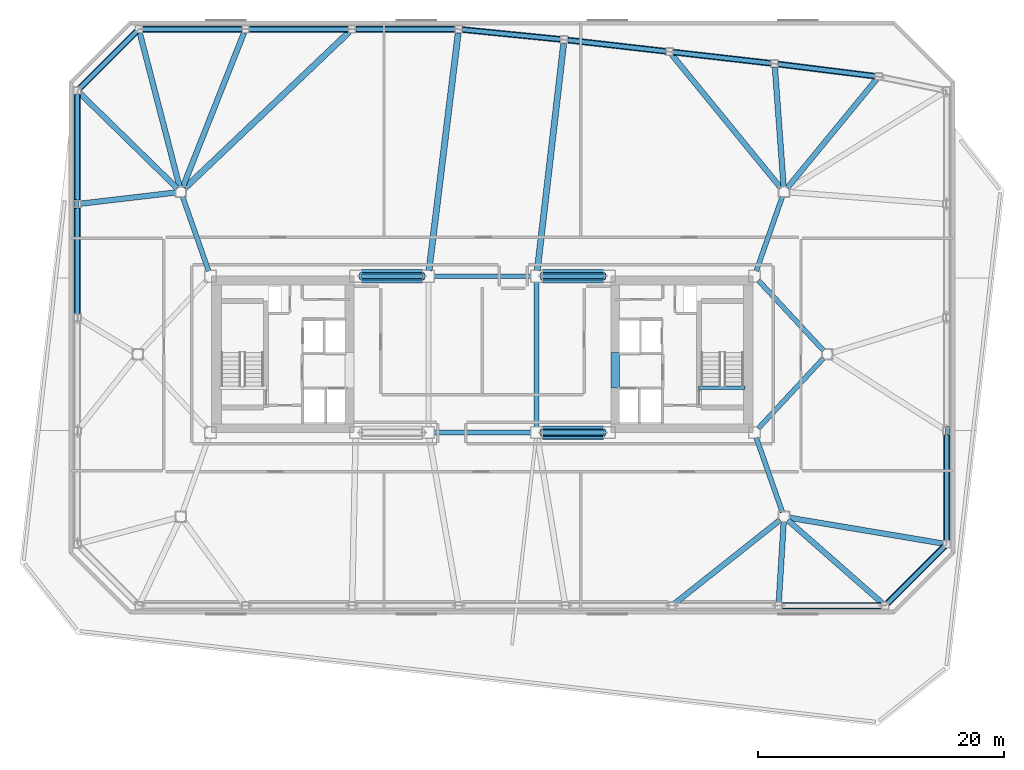
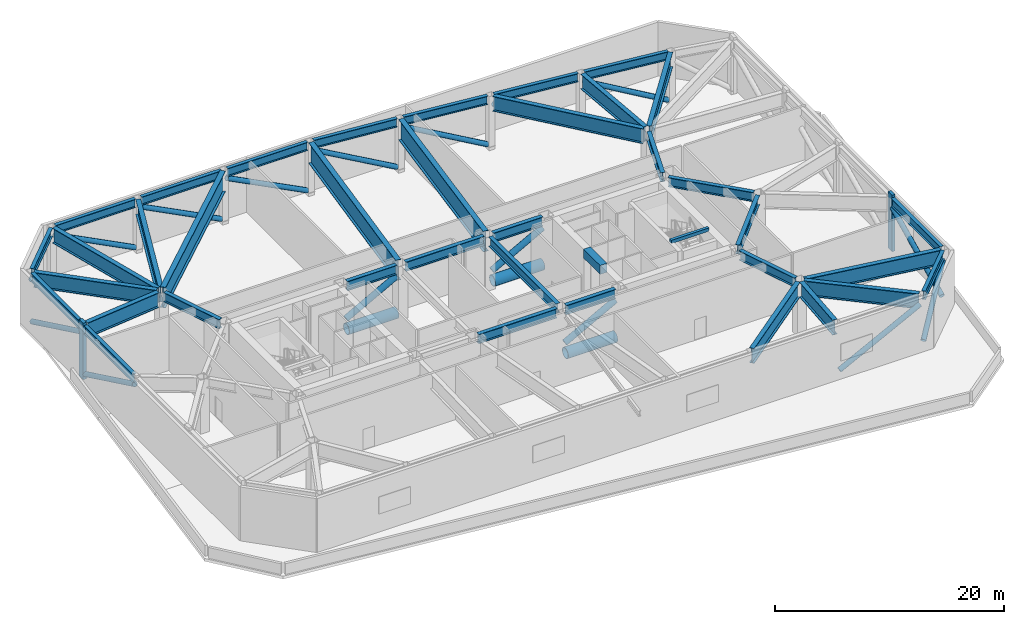
# One storey, part 2 of 12: 39 beams, 21 members.
"""IFC4 building model written with IfcOpenShell, lengths in metres."""

from ifc_helpers import new_model, si_unit, direction, frame, origin, origin_2d, place, context, subcontext, project, spatial, rectangle, hollow_circle, i_section, extrude, material, material_profile, profile_set, type_object, element, save


model = new_model("IFC4")

# Units and contexts
model_context = context("Model", 3, precision=1e-05, world=origin(), true_north=direction((0.0, 1.0)))
body_context = subcontext(model_context, "Body", "Model", "MODEL_VIEW")
ifc_project = project(units=[si_unit("LENGTHUNIT", "METRE"), si_unit("AREAUNIT", "SQUARE_METRE"), si_unit("VOLUMEUNIT", "CUBIC_METRE"), si_unit("PLANEANGLEUNIT", "RADIAN"), si_unit("MASSUNIT", "GRAM", prefix="KILO")], contexts=[model_context])

# Site, building, storey
site_placement = place(None, origin())
site = spatial("IfcSite", under=ifc_project, at=site_placement, CompositionType="ELEMENT")
building_placement = place(site_placement, origin())
building = spatial("IfcBuilding", under=site, at=building_placement, Name="Tavrogorsk Clinical Tower", CompositionType="ELEMENT")
storey_placement = place(building_placement, frame((0.0, 0.0, 146.199951171875)))
storey = spatial("IfcBuildingStorey", under=building, at=storey_placement, Name="L33", CompositionType="ELEMENT", Elevation=146.199951171875)

# Beam
ifc_material_1 = material(Name="Concrete B80", Category="concrete")
ifc_material_profile_1 = material_profile(ifc_material_1, rectangle(XDim=0.699951171875, YDim=0.949951171875, at=origin_2d()), Name="RC-CB-700x950")
ifc_profile_set_1 = profile_set([ifc_material_profile_1], Name="Concrete B80")
beam_type_1 = type_object("IfcBeamType", Name="CouplingBeam_RC700x950", PredefinedType="LINTEL", material=ifc_profile_set_1)
beam_1_placement = place(storey_placement, frame((10.800048828125, -2.75, 5.26513671875), z_axis=(0.0, 1.0, 0.0), x_axis=(-1.0, 0.0, 0.0)))
element("IfcBeam", 1, at=beam_1_placement, inside=storey, type_object=beam_type_1, Name="L33 Core East Coupling Beam", PredefinedType="LINTEL", context=body_context, shape_type="SweptSolid", body=[
    extrude(rectangle(XDim=0.699951171875, YDim=0.949951171875, at=origin_2d()), origin(), (0.0, 0.0, 1.0), 2.89990234375),
])

# Members
ifc_material_2 = material(Name="Structural steel S440", Category="steel")
ifc_material_profile_2 = material_profile(ifc_material_2, hollow_circle(Radius=0.25390625, WallThickness=0.02001953125, at=origin_2d()), Name="CHS-508x20")
ifc_profile_set_2 = profile_set([ifc_material_profile_2], Name="Structural steel S440")
member_type_1 = type_object("IfcMemberType", Name="ExoBrace_CHS508", PredefinedType="BRACE", material=ifc_profile_set_2)
member_1_placement = place(storey_placement, frame((24.331298828125, -20.419921875, 0.490478515625), z_axis=(0.889911106778, 0.0, 0.4561339957), x_axis=(0.0, 1.0, 0.0)))
element("IfcMember", 2, at=member_1_placement, inside=storey, type_object=member_type_1, Name="L33 Exoskeleton Belt Diagonal S7-S8", PredefinedType="BRACE", context=body_context, shape_type="SweptSolid", body=[
    extrude(hollow_circle(Radius=0.25390625, WallThickness=0.02001953125, at=origin_2d()), origin(), (0.0, 0.0, 1.0), 9.118408203125),
])
member_2_placement = place(storey_placement, frame((32.904541015625, -20.235595703125, 0.513916015625), z_axis=(0.598845362179, 0.598845362179, 0.531759780723), x_axis=(-0.707106781187, 0.707106781187, 0.0)))
element("IfcMember", 3, at=member_2_placement, inside=storey, type_object=member_type_1, Name="L33 Exoskeleton Belt Diagonal S8-E1", PredefinedType="BRACE", context=body_context, shape_type="SweptSolid", body=[
    extrude(hollow_circle(Radius=0.25390625, WallThickness=0.02001953125, at=origin_2d()), origin(), (0.0, 0.0, 1.0), 7.7333984375),
])
member_3_placement = place(storey_placement, frame((37.719970703125, -15.142578125, 0.48388671875), z_axis=(0.0, 0.900792998152, 0.43424874724), x_axis=(-1.0, 0.0, 0.0)))
element("IfcMember", 4, at=member_3_placement, inside=storey, type_object=member_type_1, Name="L33 Exoskeleton Belt Diagonal E1-E2", PredefinedType="BRACE", context=body_context, shape_type="SweptSolid", body=[
    extrude(hollow_circle(Radius=0.25390625, WallThickness=0.02001953125, at=origin_2d()), origin(), (0.0, 0.0, 1.0), 9.608154296875),
])
member_4_placement = place(storey_placement, frame((31.920166015625, 22.599609375, 0.492431640625), z_axis=(-0.879992045081, 0.109493224063, 0.462196099592), x_axis=(-0.123473130584, -0.992347915816, 0.0)))
element("IfcMember", 5, at=member_4_placement, inside=storey, type_object=member_type_1, Name="L33 Exoskeleton Belt Diagonal N1-N2", PredefinedType="BRACE", context=body_context, shape_type="SweptSolid", body=[
    extrude(hollow_circle(Radius=0.25390625, WallThickness=0.02001953125, at=origin_2d()), origin(), (0.0, 0.0, 1.0), 8.990234375),
])
for number, where, z_axis, x_axis, name in (
    (6, (23.4658203125, 23.648681640625, 0.4912109375), (-0.882999574814, 0.100629646666, 0.458459840216), (-0.113230487183, -0.993568747884, 0.0), "L33 Exoskeleton Belt Diagonal N2-N3"),
    (7, (14.9140625, 24.623291015625, 0.4912109375), (-0.883001966569, 0.100602998447, 0.458461082033), (-0.113200583673, -0.993572155334, 0.0), "L33 Exoskeleton Belt Diagonal N3-N4"),
):
    element("IfcMember", number, at=place(storey_placement, frame(where, z_axis=z_axis, x_axis=x_axis)), inside=storey, type_object=member_type_1, Name=name, PredefinedType="BRACE", context=body_context, shape_type="SweptSolid", body=[
        extrude(hollow_circle(Radius=0.25390625, WallThickness=0.02001953125, at=origin_2d()), origin(), (0.0, 0.0, 1.0), 9.06884765625),
    ])
member_5_placement = place(storey_placement, frame((6.36181640625, 25.59375, 0.4912109375), z_axis=(-0.884356037204, 0.088104505213, 0.458423380318), x_axis=(-0.09913485004, -0.995074008055, 0.0)))
element("IfcMember", 8, at=member_5_placement, inside=storey, type_object=member_type_1, Name="L33 Exoskeleton Belt Diagonal N4-N5", PredefinedType="BRACE", context=body_context, shape_type="SweptSolid", body=[
    extrude(hollow_circle(Radius=0.25390625, WallThickness=0.02001953125, at=origin_2d()), origin(), (0.0, 0.0, 1.0), 9.069580078125),
])
member_6_placement = place(storey_placement, frame((-2.20556640625, 26.419921875, 0.490478515625), z_axis=(-0.889916677278, 0.0, 0.456123127568), x_axis=(0.0, -1.0, 0.0)))
element("IfcMember", 9, at=member_6_placement, inside=storey, type_object=member_type_1, Name="L33 Exoskeleton Belt Diagonal N5-N6", PredefinedType="BRACE", context=body_context, shape_type="SweptSolid", body=[
    extrude(hollow_circle(Radius=0.25390625, WallThickness=0.02001953125, at=origin_2d()), origin(), (0.0, 0.0, 1.0), 9.11865234375),
])
member_7_placement = place(storey_placement, frame((-10.868408203125, 26.419921875, 0.490478515625), z_axis=(-0.889911106778, 0.0, 0.4561339957), x_axis=(0.0, -1.0, 0.0)))
element("IfcMember", 10, at=member_7_placement, inside=storey, type_object=member_type_1, Name="L33 Exoskeleton Belt Diagonal N6-N7", PredefinedType="BRACE", context=body_context, shape_type="SweptSolid", body=[
    extrude(hollow_circle(Radius=0.25390625, WallThickness=0.02001953125, at=origin_2d()), origin(), (0.0, 0.0, 1.0), 9.118408203125),
])
member_8_placement = place(storey_placement, frame((-19.53125, 26.419921875, 0.490478515625), z_axis=(-0.889916677278, 0.0, 0.456123127568), x_axis=(0.0, -1.0, 0.0)))
element("IfcMember", 11, at=member_8_placement, inside=storey, type_object=member_type_1, Name="L33 Exoskeleton Belt Diagonal N7-N8", PredefinedType="BRACE", context=body_context, shape_type="SweptSolid", body=[
    extrude(hollow_circle(Radius=0.25390625, WallThickness=0.02001953125, at=origin_2d()), origin(), (0.0, 0.0, 1.0), 9.11865234375),
])
member_9_placement = place(storey_placement, frame((-28.1044921875, 26.235595703125, 0.513916015625), z_axis=(-0.598845362179, -0.598845362179, 0.531759780723), x_axis=(0.707106781187, -0.707106781187, 0.0)))
element("IfcMember", 12, at=member_9_placement, inside=storey, type_object=member_type_1, Name="L33 Exoskeleton Belt Diagonal N8-W1", PredefinedType="BRACE", context=body_context, shape_type="SweptSolid", body=[
    extrude(hollow_circle(Radius=0.25390625, WallThickness=0.02001953125, at=origin_2d()), origin(), (0.0, 0.0, 1.0), 7.7333984375),
])
member_10_placement = place(storey_placement, frame((-32.919921875, 21.142578125, 0.48388671875), z_axis=(0.0, -0.900792998152, 0.43424874724), x_axis=(1.0, 0.0, 0.0)))
element("IfcMember", 13, at=member_10_placement, inside=storey, type_object=member_type_1, Name="L33 Exoskeleton Belt Diagonal W1-W2", PredefinedType="BRACE", context=body_context, shape_type="SweptSolid", body=[
    extrude(hollow_circle(Radius=0.25390625, WallThickness=0.02001953125, at=origin_2d()), origin(), (0.0, 0.0, 1.0), 9.608154296875),
])
member_11_placement = place(storey_placement, frame((-32.919921875, 11.9326171875, 0.48388671875), z_axis=(0.0, -0.900797789512, 0.434238808043), x_axis=(1.0, 0.0, 0.0)))
element("IfcMember", 14, at=member_11_placement, inside=storey, type_object=member_type_1, Name="L33 Exoskeleton Belt Diagonal W2-W3", PredefinedType="BRACE", context=body_context, shape_type="SweptSolid", body=[
    extrude(hollow_circle(Radius=0.25390625, WallThickness=0.02001953125, at=origin_2d()), origin(), (0.0, 0.0, 1.0), 9.6083984375),
])
ifc_material_3 = material(Name="Precast concrete B45 with limestone cladding", Category="masonry")
ifc_material_profile_3 = material_profile(ifc_material_3, rectangle(XDim=0.320068359375, YDim=0.719970703125, at=origin_2d()), Name="LIMESTONE-FIN-320x720")
ifc_profile_set_3 = profile_set([ifc_material_profile_3], Name="Precast concrete B45 with limestone cladding")
member_type_2 = type_object("IfcMemberType", Name="LimestonePleatFin_320x720", PredefinedType="USERDEFINED", material=ifc_profile_set_3)
for number, where, z_axis, x_axis, name in (
    (15, (37.800048828125, -6.2099609375, 0.0), (0.0, 0.0, 1.0), (1.0, 0.0, 0.0), "L33 E Pleated Stone Fin 1"),
    (16, (-33.0, 12.2099609375, 0.0), (0.0, 0.0, 1.0), (1.0, 0.0, 0.0), "L33 W Pleated Stone Fin 1"),
):
    element("IfcMember", number, at=place(storey_placement, frame(where, z_axis=z_axis, x_axis=x_axis)), inside=storey, type_object=member_type_2, Name=name, ObjectType="FIN", PredefinedType="USERDEFINED", context=body_context, shape_type="SweptSolid", body=[
        extrude(rectangle(XDim=0.320068359375, YDim=0.719970703125, at=origin_2d()), origin(), (0.0, 0.0, 1.0), 6.0),
    ])
ifc_material_4 = material(Name="Structural steel S440", Category="steel")
ifc_material_profile_4 = material_profile(ifc_material_4, hollow_circle(Radius=0.550048828125, WallThickness=0.0400390625, at=origin_2d()), Name="CHS-1100x40")
ifc_profile_set_4 = profile_set([ifc_material_profile_4], Name="Structural steel S440")
member_type_3 = type_object("IfcMemberType", Name="OutriggerChord_CHS1100", PredefinedType="CHORD", material=ifc_profile_set_4)
for number, where, z_axis, x_axis, name in (
    (17, (-9.840087890625, 6.35009765625, 0.580078125), (1.0, 0.0, 0.0), (0.0, 1.0, 0.0), "L33 Outrigger Bottom Chord 02"),
    (18, (4.860107421875, -6.35009765625, 0.580078125), (1.0, 0.0, 0.0), (0.0, 1.0, 0.0), "L33 Outrigger Bottom Chord 03"),
    (19, (4.860107421875, 6.35009765625, 0.580078125), (1.0, 0.0, 0.0), (0.0, 1.0, 0.0), "L33 Outrigger Bottom Chord 04"),
):
    element("IfcMember", number, at=place(storey_placement, frame(where, z_axis=z_axis, x_axis=x_axis)), inside=storey, type_object=member_type_3, Name=name, PredefinedType="CHORD", context=body_context, shape_type="SweptSolid", body=[
        extrude(hollow_circle(Radius=0.550048828125, WallThickness=0.0400390625, at=origin_2d()), origin(), (0.0, 0.0, 1.0), 4.97998046875),
    ])
ifc_material_5 = material(Name="Structural steel S440", Category="steel")
ifc_material_profile_5 = material_profile(ifc_material_5, hollow_circle(Radius=0.304931640625, WallThickness=0.02490234375, at=origin_2d()), Name="CHS-610x25")
ifc_profile_set_5 = profile_set([ifc_material_profile_5], Name="Structural steel S440")
member_type_4 = type_object("IfcMemberType", Name="OutriggerDiag_CHS610", PredefinedType="BRACE", material=ifc_profile_set_5)
for number, where, z_axis, x_axis, name in (
    (20, (-9.89599609375, 6.35009765625, 1.699951171875), (0.878418148734, 0.0, 0.477892828963), (0.0, 1.0, 0.0), "L33 Outrigger Diagonal 02"),
    (21, (4.803955078125, -6.35009765625, 1.699951171875), (0.878418148734, 0.0, 0.477892828963), (0.0, 1.0, 0.0), "L33 Outrigger Diagonal 03"),
    (22, (4.803955078125, 6.35009765625, 1.699951171875), (0.878418148734, 0.0, 0.477892828963), (0.0, 1.0, 0.0), "L33 Outrigger Diagonal 04"),
):
    element("IfcMember", number, at=place(storey_placement, frame(where, z_axis=z_axis, x_axis=x_axis)), inside=storey, type_object=member_type_4, Name=name, PredefinedType="BRACE", context=body_context, shape_type="SweptSolid", body=[
        extrude(hollow_circle(Radius=0.304931640625, WallThickness=0.02490234375, at=origin_2d()), origin(), (0.0, 0.0, 1.0), 5.796875),
    ])

# Beams
ifc_material_6 = material(Name="Concrete B60", Category="concrete")
ifc_material_profile_6 = material_profile(ifc_material_6, rectangle(XDim=0.300048828125, YDim=0.35009765625, at=origin_2d()), Name="RC-SHB-300x350")
ifc_profile_set_6 = profile_set([ifc_material_profile_6], Name="Concrete B60")
beam_type_2 = type_object("IfcBeamType", Name="StairHeaderBeam_RC300x350", PredefinedType="BEAM", material=ifc_profile_set_6)
beam_2_placement = place(storey_placement, frame((17.550048828125, -2.719970703125, 5.824951171875), z_axis=(1.0, 0.0, 0.0), x_axis=(0.0, 1.0, 0.0)))
element("IfcBeam", 23, at=beam_2_placement, inside=storey, type_object=beam_type_2, Name="L34 ST-E Landing Header Beam", PredefinedType="BEAM", context=body_context, shape_type="SweptSolid", body=[
    extrude(rectangle(XDim=0.300048828125, YDim=0.35009765625, at=origin_2d()), origin(), (0.0, 0.0, 1.0), 3.800048828125),
])
ifc_material_7 = material(Name="Structural steel S440", Category="steel")
ifc_material_profile_7 = material_profile(ifc_material_7, i_section(OverallWidth=0.39990234375, OverallDepth=1.0, WebThickness=0.028076171875, FlangeThickness=0.044921875, at=origin_2d()), Name="DK-1000x400x28x45")
ifc_profile_set_7 = profile_set([ifc_material_profile_7], Name="Structural steel S440")
beam_type_3 = type_object("IfcBeamType", Name="TransferGirder_DK1000", PredefinedType="USERDEFINED", material=ifc_profile_set_7)
beam_3_placement = place(storey_placement, frame((-9.840087890625, 6.35009765625, 5.239990234375), z_axis=(1.0, 0.0, 0.0), x_axis=(0.0, 1.0, 0.0)))
element("IfcBeam", 24, at=beam_3_placement, inside=storey, type_object=beam_type_3, Name="L33 Primary Spine Girder MG-02", ObjectType="GIRDER", PredefinedType="USERDEFINED", context=body_context, shape_type="SweptSolid", body=[
    extrude(i_section(OverallWidth=0.39990234375, OverallDepth=1.0, WebThickness=0.028076171875, FlangeThickness=0.044921875, at=origin_2d()), origin(), (0.0, 0.0, 1.0), 4.97998046875),
])
for number, where, z_axis, x_axis, name in (
    (25, (-3.93994140625, -6.35009765625, 5.239990234375), (1.0, 0.0, 0.0), (0.0, 1.0, 0.0), "L33 Primary Spine Girder MG-03"),
    (26, (-3.93994140625, 6.35009765625, 5.239990234375), (1.0, 0.0, 0.0), (0.0, 1.0, 0.0), "L33 Primary Spine Girder MG-04"),
):
    element("IfcBeam", number, at=place(storey_placement, frame(where, z_axis=z_axis, x_axis=x_axis)), inside=storey, type_object=beam_type_3, Name=name, ObjectType="GIRDER", PredefinedType="USERDEFINED", context=body_context, shape_type="SweptSolid", body=[
        extrude(i_section(OverallWidth=0.39990234375, OverallDepth=1.0, WebThickness=0.028076171875, FlangeThickness=0.044921875, at=origin_2d()), origin(), (0.0, 0.0, 1.0), 7.8798828125),
    ])
for number, where, z_axis, x_axis, name in (
    (27, (4.860107421875, -6.35009765625, 5.239990234375), (1.0, 0.0, 0.0), (0.0, 1.0, 0.0), "L33 Primary Spine Girder MG-05"),
    (28, (4.860107421875, 6.35009765625, 5.239990234375), (1.0, 0.0, 0.0), (0.0, 1.0, 0.0), "L33 Primary Spine Girder MG-06"),
):
    element("IfcBeam", number, at=place(storey_placement, frame(where, z_axis=z_axis, x_axis=x_axis)), inside=storey, type_object=beam_type_3, Name=name, ObjectType="GIRDER", PredefinedType="USERDEFINED", context=body_context, shape_type="SweptSolid", body=[
        extrude(i_section(OverallWidth=0.39990234375, OverallDepth=1.0, WebThickness=0.028076171875, FlangeThickness=0.044921875, at=origin_2d()), origin(), (0.0, 0.0, 1.0), 4.97998046875),
    ])
beam_4_placement = place(storey_placement, frame((4.39990234375, -5.889892578125, 5.239990234375), z_axis=(0.0, 1.0, 0.0), x_axis=(-1.0, 0.0, 0.0)))
element("IfcBeam", 29, at=beam_4_placement, inside=storey, type_object=beam_type_3, Name="L33 Primary Spine Girder MG-08", ObjectType="GIRDER", PredefinedType="USERDEFINED", context=body_context, shape_type="SweptSolid", body=[
    extrude(i_section(OverallWidth=0.39990234375, OverallDepth=1.0, WebThickness=0.028076171875, FlangeThickness=0.044921875, at=origin_2d()), origin(), (0.0, 0.0, 1.0), 11.77978515625),
])
for number, where, z_axis, x_axis, name in (
    (30, (24.364501953125, -12.81298828125, 5.239990234375), (-0.330660234815, 0.943749865755, 0.0), (-0.943749865755, -0.330660234815, 0.0), "L33 Spine Link Girder OPG-2"),
    (31, (-24.364501953125, 12.81298828125, 5.239990234375), (0.330660234815, -0.943749865755, 0.0), (0.943749865755, 0.330660234815, 0.0), "L33 Spine Link Girder OPG-3"),
    (32, (24.364501953125, 12.81298828125, 5.239990234375), (-0.330660234815, -0.943749865755, 0.0), (0.943749865755, -0.330660234815, 0.0), "L33 Spine Link Girder OPG-4"),
):
    element("IfcBeam", number, at=place(storey_placement, frame(where, z_axis=z_axis, x_axis=x_axis)), inside=storey, type_object=beam_type_3, Name=name, ObjectType="GIRDER", PredefinedType="USERDEFINED", context=body_context, shape_type="SweptSolid", body=[
        extrude(i_section(OverallWidth=0.39990234375, OverallDepth=1.0, WebThickness=0.028076171875, FlangeThickness=0.044921875, at=origin_2d()), origin(), (0.0, 0.0, 1.0), 6.38818359375),
    ])
for number, where, z_axis, x_axis, name in (
    (33, (27.720947265625, -0.30029296875, 5.239990234375), (-0.680675630035, -0.732584934787, 0.0), (0.732584934787, -0.680675630035, 0.0), "L33 Spine Link Girder OPG-7"),
    (34, (27.720947265625, 0.30029296875, 5.239990234375), (-0.680675630035, 0.732584934787, 0.0), (-0.732584934787, -0.680675630035, 0.0), "L33 Spine Link Girder OPG-8"),
):
    element("IfcBeam", number, at=place(storey_placement, frame(where, z_axis=z_axis, x_axis=x_axis)), inside=storey, type_object=beam_type_3, Name=name, ObjectType="GIRDER", PredefinedType="USERDEFINED", context=body_context, shape_type="SweptSolid", body=[
        extrude(i_section(OverallWidth=0.39990234375, OverallDepth=1.0, WebThickness=0.028076171875, FlangeThickness=0.044921875, at=origin_2d()), origin(), (0.0, 0.0, 1.0), 7.7978515625),
    ])
ifc_material_8 = material(Name="Structural steel S440", Category="steel")
ifc_material_profile_8 = material_profile(ifc_material_8, i_section(OverallWidth=0.449951171875, OverallDepth=1.60009765625, WebThickness=0.031982421875, FlangeThickness=0.050048828125, at=origin_2d()), Name="DK-1600x450x32x50")
ifc_profile_set_8 = profile_set([ifc_material_profile_8], Name="Structural steel S440")
beam_type_4 = type_object("IfcBeamType", Name="TransferGirder_DK1600", PredefinedType="USERDEFINED", material=ifc_profile_set_8)
beam_5_placement = place(storey_placement, frame((24.1787109375, -13.454833984375, 4.93994140625), z_axis=(-0.783566094727, -0.621308438052, 0.0), x_axis=(0.621308438052, -0.783566094727, 0.0)))
element("IfcBeam", 35, at=beam_5_placement, inside=storey, type_object=beam_type_4, Name="L33 Radial Floor Beam S6", ObjectType="GIRDER", PredefinedType="USERDEFINED", context=body_context, shape_type="SweptSolid", body=[
    extrude(i_section(OverallWidth=0.449951171875, OverallDepth=1.60009765625, WebThickness=0.031982421875, FlangeThickness=0.050048828125, at=origin_2d()), origin(), (0.0, 0.0, 1.0), 10.902587890625),
])
beam_6_placement = place(storey_placement, frame((24.474853515625, -13.609130859375, 4.93994140625), z_axis=(-0.061225862048, -0.998123937102, 0.0), x_axis=(0.998123937102, -0.061225862048, 0.0)))
element("IfcBeam", 36, at=beam_6_placement, inside=storey, type_object=beam_type_4, Name="L33 Radial Floor Beam S7", ObjectType="GIRDER", PredefinedType="USERDEFINED", context=body_context, shape_type="SweptSolid", body=[
    extrude(i_section(OverallWidth=0.449951171875, OverallDepth=1.60009765625, WebThickness=0.031982421875, FlangeThickness=0.050048828125, at=origin_2d()), origin(), (0.0, 0.0, 1.0), 6.515625),
])
beam_7_placement = place(storey_placement, frame((24.80810546875, -13.470458984375, 4.93994140625), z_axis=(0.751316315352, -0.659942265874, 0.0), x_axis=(0.659942265874, 0.751316315352, 0.0)))
element("IfcBeam", 37, at=beam_7_placement, inside=storey, type_object=beam_type_4, Name="L33 Radial Floor Beam S8", ObjectType="GIRDER", PredefinedType="USERDEFINED", context=body_context, shape_type="SweptSolid", body=[
    extrude(i_section(OverallWidth=0.449951171875, OverallDepth=1.60009765625, WebThickness=0.031982421875, FlangeThickness=0.050048828125, at=origin_2d()), origin(), (0.0, 0.0, 1.0), 10.22265625),
])
beam_8_placement = place(storey_placement, frame((24.76025390625, 13.516845703125, 4.93994140625), z_axis=(0.634632561694, 0.772814021377, 0.0), x_axis=(-0.772814021377, 0.634632561694, 0.0)))
element("IfcBeam", 38, at=beam_8_placement, inside=storey, type_object=beam_type_4, Name="L33 Radial Floor Beam N1", ObjectType="GIRDER", PredefinedType="USERDEFINED", context=body_context, shape_type="SweptSolid", body=[
    extrude(i_section(OverallWidth=0.449951171875, OverallDepth=1.60009765625, WebThickness=0.031982421875, FlangeThickness=0.050048828125, at=origin_2d()), origin(), (0.0, 0.0, 1.0), 11.401123046875),
])
beam_9_placement = place(storey_placement, frame((24.469970703125, 13.60888671875, 4.93994140625), z_axis=(-0.072959198524, 0.997334926367, 0.0), x_axis=(-0.997334926367, -0.072959198524, 0.0)))
element("IfcBeam", 39, at=beam_9_placement, inside=storey, type_object=beam_type_4, Name="L33 Radial Floor Beam N2", ObjectType="GIRDER", PredefinedType="USERDEFINED", context=body_context, shape_type="SweptSolid", body=[
    extrude(i_section(OverallWidth=0.449951171875, OverallDepth=1.60009765625, WebThickness=0.031982421875, FlangeThickness=0.050048828125, at=origin_2d()), origin(), (0.0, 0.0, 1.0), 9.7275390625),
])
beam_10_placement = place(storey_placement, frame((24.240478515625, 13.517333984375, 4.93994140625), z_axis=(-0.632957552123, 0.774186500277, 0.0), x_axis=(-0.774186500277, -0.632957552123, 0.0)))
element("IfcBeam", 40, at=beam_10_placement, inside=storey, type_object=beam_type_4, Name="L33 Radial Floor Beam N3", ObjectType="GIRDER", PredefinedType="USERDEFINED", context=body_context, shape_type="SweptSolid", body=[
    extrude(i_section(OverallWidth=0.449951171875, OverallDepth=1.60009765625, WebThickness=0.031982421875, FlangeThickness=0.050048828125, at=origin_2d()), origin(), (0.0, 0.0, 1.0), 13.9970703125),
])
beam_11_placement = place(storey_placement, frame((-24.348876953125, 13.5810546875, 4.93994140625), z_axis=(0.368655349184, 0.929566153384, 0.0), x_axis=(-0.929566153384, 0.368655349184, 0.0)))
element("IfcBeam", 41, at=beam_11_placement, inside=storey, type_object=beam_type_4, Name="L33 Radial Floor Beam N7", ObjectType="GIRDER", PredefinedType="USERDEFINED", context=body_context, shape_type="SweptSolid", body=[
    extrude(i_section(OverallWidth=0.449951171875, OverallDepth=1.60009765625, WebThickness=0.031982421875, FlangeThickness=0.050048828125, at=origin_2d()), origin(), (0.0, 0.0, 1.0), 13.50390625),
])
beam_12_placement = place(storey_placement, frame((-24.602783203125, 13.596923828125, 4.93994140625), z_axis=(-0.25044015559, 0.96813208214, 0.0), x_axis=(-0.96813208214, -0.25044015559, 0.0)))
element("IfcBeam", 42, at=beam_12_placement, inside=storey, type_object=beam_type_4, Name="L33 Radial Floor Beam N8", ObjectType="GIRDER", PredefinedType="USERDEFINED", context=body_context, shape_type="SweptSolid", body=[
    extrude(i_section(OverallWidth=0.449951171875, OverallDepth=1.60009765625, WebThickness=0.031982421875, FlangeThickness=0.050048828125, at=origin_2d()), origin(), (0.0, 0.0, 1.0), 12.937255859375),
])
beam_13_placement = place(storey_placement, frame((24.904296875, -13.267822265625, 4.93994140625), z_axis=(0.98619191169, -0.165606501434, 0.0), x_axis=(0.165606501434, 0.98619191169, 0.0)))
element("IfcBeam", 43, at=beam_13_placement, inside=storey, type_object=beam_type_4, Name="L33 Radial Floor Beam E1", ObjectType="GIRDER", PredefinedType="USERDEFINED", context=body_context, shape_type="SweptSolid", body=[
    extrude(i_section(OverallWidth=0.449951171875, OverallDepth=1.60009765625, WebThickness=0.031982421875, FlangeThickness=0.050048828125, at=origin_2d()), origin(), (0.0, 0.0, 1.0), 12.687255859375),
])
beam_14_placement = place(storey_placement, frame((-24.79345703125, 13.486328125, 4.93994140625), z_axis=(-0.715551590144, 0.698559891378, 0.0), x_axis=(-0.698559891378, -0.715551590144, 0.0)))
element("IfcBeam", 44, at=beam_14_placement, inside=storey, type_object=beam_type_4, Name="L33 Radial Floor Beam W1", ObjectType="GIRDER", PredefinedType="USERDEFINED", context=body_context, shape_type="SweptSolid", body=[
    extrude(i_section(OverallWidth=0.449951171875, OverallDepth=1.60009765625, WebThickness=0.031982421875, FlangeThickness=0.050048828125, at=origin_2d()), origin(), (0.0, 0.0, 1.0), 11.049072265625),
])
beam_15_placement = place(storey_placement, frame((-24.9072265625, 13.152099609375, 4.93994140625), z_axis=(-0.993157045518, -0.116786484397, 0.0), x_axis=(0.116786484397, -0.993157045518, 0.0)))
element("IfcBeam", 45, at=beam_15_placement, inside=storey, type_object=beam_type_4, Name="L33 Radial Floor Beam W2", ObjectType="GIRDER", PredefinedType="USERDEFINED", context=body_context, shape_type="SweptSolid", body=[
    extrude(i_section(OverallWidth=0.449951171875, OverallDepth=1.60009765625, WebThickness=0.031982421875, FlangeThickness=0.050048828125, at=origin_2d()), origin(), (0.0, 0.0, 1.0), 7.759765625),
])
ifc_material_9 = material(Name="Structural steel S440", Category="steel")
ifc_material_profile_9 = material_profile(ifc_material_9, i_section(OverallWidth=0.5, OverallDepth=2.199951171875, WebThickness=0.035888671875, FlangeThickness=0.054931640625, at=origin_2d()), Name="DK-2200x500x36x55")
ifc_profile_set_9 = profile_set([ifc_material_profile_9], Name="Structural steel S440")
beam_type_5 = type_object("IfcBeamType", Name="TransferGirder_DK2200", PredefinedType="USERDEFINED", material=ifc_profile_set_9)
beam_16_placement = place(storey_placement, frame((4.453125, 6.806884765625, 4.64013671875), z_axis=(0.11548547993, 0.993309168349, 0.0), x_axis=(-0.993309168349, 0.11548547993, 0.0)))
element("IfcBeam", 46, at=beam_16_placement, inside=storey, type_object=beam_type_5, Name="L33 Radial Floor Beam N4", ObjectType="GIRDER", PredefinedType="USERDEFINED", context=body_context, shape_type="SweptSolid", body=[
    extrude(i_section(OverallWidth=0.5, OverallDepth=2.199951171875, WebThickness=0.035888671875, FlangeThickness=0.054931640625, at=origin_2d()), origin(), (0.0, 0.0, 1.0), 18.578125),
])
beam_17_placement = place(storey_placement, frame((-4.34375, 6.806640625, 4.64013671875), z_axis=(0.12207588796, 0.992520769344, 0.0), x_axis=(-0.992520769344, 0.12207588796, 0.0)))
element("IfcBeam", 47, at=beam_17_placement, inside=storey, type_object=beam_type_5, Name="L33 Radial Floor Beam N5", ObjectType="GIRDER", PredefinedType="USERDEFINED", context=body_context, shape_type="SweptSolid", body=[
    extrude(i_section(OverallWidth=0.5, OverallDepth=2.199951171875, WebThickness=0.035888671875, FlangeThickness=0.054931640625, at=origin_2d()), origin(), (0.0, 0.0, 1.0), 19.453125),
])
beam_18_placement = place(storey_placement, frame((-24.202880859375, 13.482421875, 4.64013671875), z_axis=(0.724746572965, 0.689015533189, 0.0), x_axis=(-0.689015533189, 0.724746572965, 0.0)))
element("IfcBeam", 48, at=beam_18_placement, inside=storey, type_object=beam_type_5, Name="L33 Radial Floor Beam N6", ObjectType="GIRDER", PredefinedType="USERDEFINED", context=body_context, shape_type="SweptSolid", body=[
    extrude(i_section(OverallWidth=0.5, OverallDepth=2.199951171875, WebThickness=0.035888671875, FlangeThickness=0.054931640625, at=origin_2d()), origin(), (0.0, 0.0, 1.0), 18.468994140625),
])
ifc_material_10 = material(Name="Structural steel S440", Category="steel")
ifc_material_profile_10 = material_profile(ifc_material_10, i_section(OverallWidth=0.360107421875, OverallDepth=0.89990234375, WebThickness=0.02392578125, FlangeThickness=0.0400390625, at=origin_2d()), Name="DK-900x360x24x40")
ifc_profile_set_10 = profile_set([ifc_material_profile_10], Name="Structural steel S440")
beam_type_6 = type_object("IfcBeamType", Name="TransferGirder_DK900", PredefinedType="USERDEFINED", material=ifc_profile_set_10)
beam_19_placement = place(storey_placement, frame((32.937744140625, -20.2021484375, 5.2900390625), z_axis=(0.707106781187, 0.707106781187, 0.0), x_axis=(-0.707106781187, 0.707106781187, 0.0)))
element("IfcBeam", 49, at=beam_19_placement, inside=storey, type_object=beam_type_6, Name="L33 Perimeter Spandrel S8-E1", ObjectType="GIRDER", PredefinedType="USERDEFINED", context=body_context, shape_type="SweptSolid", body=[
    extrude(i_section(OverallWidth=0.360107421875, OverallDepth=0.89990234375, WebThickness=0.02392578125, FlangeThickness=0.0400390625, at=origin_2d()), origin(), (0.0, 0.0, 1.0), 6.455078125),
])
beam_20_placement = place(storey_placement, frame((37.719970703125, -15.112060546875, 5.2900390625), z_axis=(0.0, 1.0, 0.0), x_axis=(-1.0, 0.0, 0.0)))
element("IfcBeam", 50, at=beam_20_placement, inside=storey, type_object=beam_type_6, Name="L33 Perimeter Spandrel E1-E2", ObjectType="GIRDER", PredefinedType="USERDEFINED", context=body_context, shape_type="SweptSolid", body=[
    extrude(i_section(OverallWidth=0.360107421875, OverallDepth=0.89990234375, WebThickness=0.02392578125, FlangeThickness=0.0400390625, at=origin_2d()), origin(), (0.0, 0.0, 1.0), 8.593994140625),
])
beam_21_placement = place(storey_placement, frame((31.8857421875, 22.60400390625, 5.2900390625), z_axis=(-0.992347112015, 0.123479590521, 0.0), x_axis=(-0.123479590521, -0.992347112015, 0.0)))
element("IfcBeam", 51, at=beam_21_placement, inside=storey, type_object=beam_type_6, Name="L33 Perimeter Spandrel N1-N2", ObjectType="GIRDER", PredefinedType="USERDEFINED", context=body_context, shape_type="SweptSolid", body=[
    extrude(i_section(OverallWidth=0.360107421875, OverallDepth=0.89990234375, WebThickness=0.02392578125, FlangeThickness=0.0400390625, at=origin_2d()), origin(), (0.0, 0.0, 1.0), 7.90283203125),
])
beam_22_placement = place(storey_placement, frame((23.431884765625, 23.652587890625, 5.2900390625), z_axis=(-0.993569841398, 0.113220891465, 0.0), x_axis=(-0.113220891465, -0.993569841398, 0.0)))
element("IfcBeam", 52, at=beam_22_placement, inside=storey, type_object=beam_type_6, Name="L33 Perimeter Spandrel N2-N3", ObjectType="GIRDER", PredefinedType="USERDEFINED", context=body_context, shape_type="SweptSolid", body=[
    extrude(i_section(OverallWidth=0.360107421875, OverallDepth=0.89990234375, WebThickness=0.02392578125, FlangeThickness=0.0400390625, at=origin_2d()), origin(), (0.0, 0.0, 1.0), 7.9912109375),
])
beam_23_placement = place(storey_placement, frame((14.8798828125, 24.626953125, 5.2900390625), z_axis=(-0.993569449752, 0.113224328304, 0.0), x_axis=(-0.113224328304, -0.993569449752, 0.0)))
element("IfcBeam", 53, at=beam_23_placement, inside=storey, type_object=beam_type_6, Name="L33 Perimeter Spandrel N3-N4", ObjectType="GIRDER", PredefinedType="USERDEFINED", context=body_context, shape_type="SweptSolid", body=[
    extrude(i_section(OverallWidth=0.360107421875, OverallDepth=0.89990234375, WebThickness=0.02392578125, FlangeThickness=0.0400390625, at=origin_2d()), origin(), (0.0, 0.0, 1.0), 7.990966796875),
])
beam_24_placement = place(storey_placement, frame((6.32763671875, 25.59716796875, 5.2900390625), z_axis=(-0.995074624158, 0.099128665666, 0.0), x_axis=(-0.099128665666, -0.995074624158, 0.0)))
element("IfcBeam", 54, at=beam_24_placement, inside=storey, type_object=beam_type_6, Name="L33 Perimeter Spandrel N4-N5", ObjectType="GIRDER", PredefinedType="USERDEFINED", context=body_context, shape_type="SweptSolid", body=[
    extrude(i_section(OverallWidth=0.360107421875, OverallDepth=0.89990234375, WebThickness=0.02392578125, FlangeThickness=0.0400390625, at=origin_2d()), origin(), (0.0, 0.0, 1.0), 7.991943359375),
])
for number, where, z_axis, x_axis, name in (
    (55, (-2.239501953125, 26.419921875, 5.2900390625), (-1.0, 0.0, 0.0), (0.0, -1.0, 0.0), "L33 Perimeter Spandrel N5-N6"),
    (56, (-10.90234375, 26.419921875, 5.2900390625), (-1.0, 0.0, 0.0), (0.0, -1.0, 0.0), "L33 Perimeter Spandrel N6-N7"),
    (57, (-19.565185546875, 26.419921875, 5.2900390625), (-1.0, 0.0, 0.0), (0.0, -1.0, 0.0), "L33 Perimeter Spandrel N7-N8"),
):
    element("IfcBeam", number, at=place(storey_placement, frame(where, z_axis=z_axis, x_axis=x_axis)), inside=storey, type_object=beam_type_6, Name=name, ObjectType="GIRDER", PredefinedType="USERDEFINED", context=body_context, shape_type="SweptSolid", body=[
        extrude(i_section(OverallWidth=0.360107421875, OverallDepth=0.89990234375, WebThickness=0.02392578125, FlangeThickness=0.0400390625, at=origin_2d()), origin(), (0.0, 0.0, 1.0), 8.046875),
    ])
beam_25_placement = place(storey_placement, frame((-28.1376953125, 26.2021484375, 5.2900390625), z_axis=(-0.707106781187, -0.707106781187, 0.0), x_axis=(0.707106781187, -0.707106781187, 0.0)))
element("IfcBeam", 58, at=beam_25_placement, inside=storey, type_object=beam_type_6, Name="L33 Perimeter Spandrel N8-W1", ObjectType="GIRDER", PredefinedType="USERDEFINED", context=body_context, shape_type="SweptSolid", body=[
    extrude(i_section(OverallWidth=0.360107421875, OverallDepth=0.89990234375, WebThickness=0.02392578125, FlangeThickness=0.0400390625, at=origin_2d()), origin(), (0.0, 0.0, 1.0), 6.455078125),
])
for number, where, z_axis, x_axis, name in (
    (59, (-32.919921875, 21.112060546875, 5.2900390625), (0.0, -1.0, 0.0), (1.0, 0.0, 0.0), "L33 Perimeter Spandrel W1-W2"),
    (60, (-32.919921875, 11.902099609375, 5.2900390625), (0.0, -1.0, 0.0), (1.0, 0.0, 0.0), "L33 Perimeter Spandrel W2-W3"),
):
    element("IfcBeam", number, at=place(storey_placement, frame(where, z_axis=z_axis, x_axis=x_axis)), inside=storey, type_object=beam_type_6, Name=name, ObjectType="GIRDER", PredefinedType="USERDEFINED", context=body_context, shape_type="SweptSolid", body=[
        extrude(i_section(OverallWidth=0.360107421875, OverallDepth=0.89990234375, WebThickness=0.02392578125, FlangeThickness=0.0400390625, at=origin_2d()), origin(), (0.0, 0.0, 1.0), 8.593994140625),
    ])

save(model, "model.ifc")
